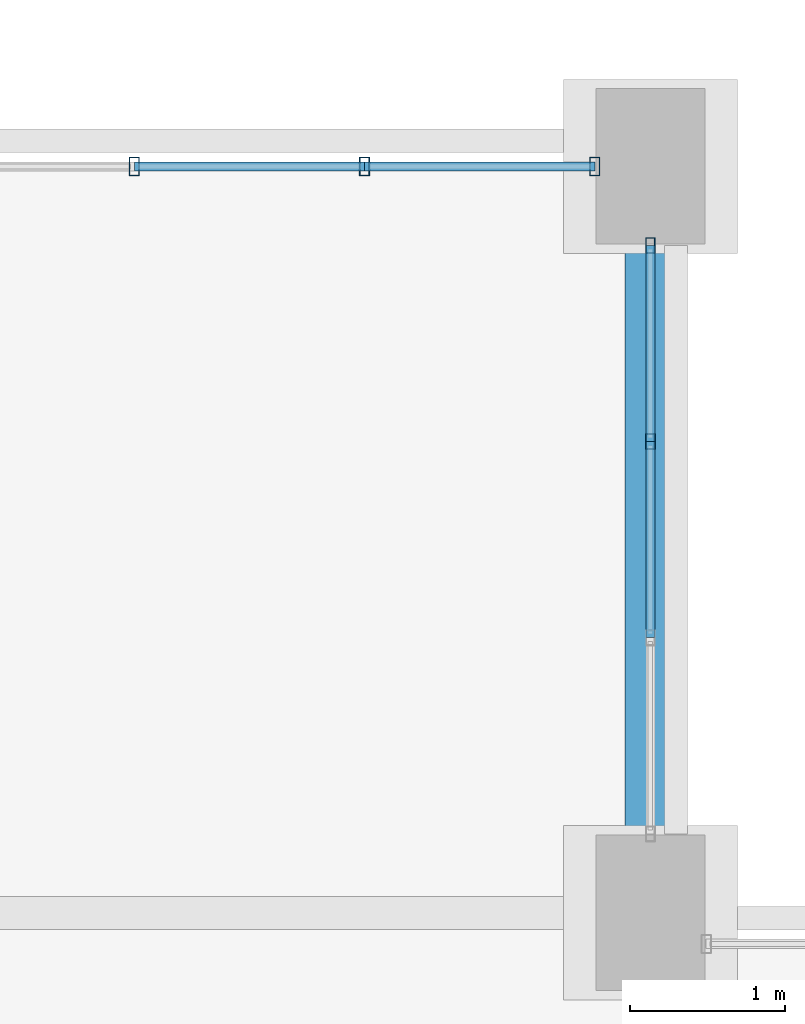
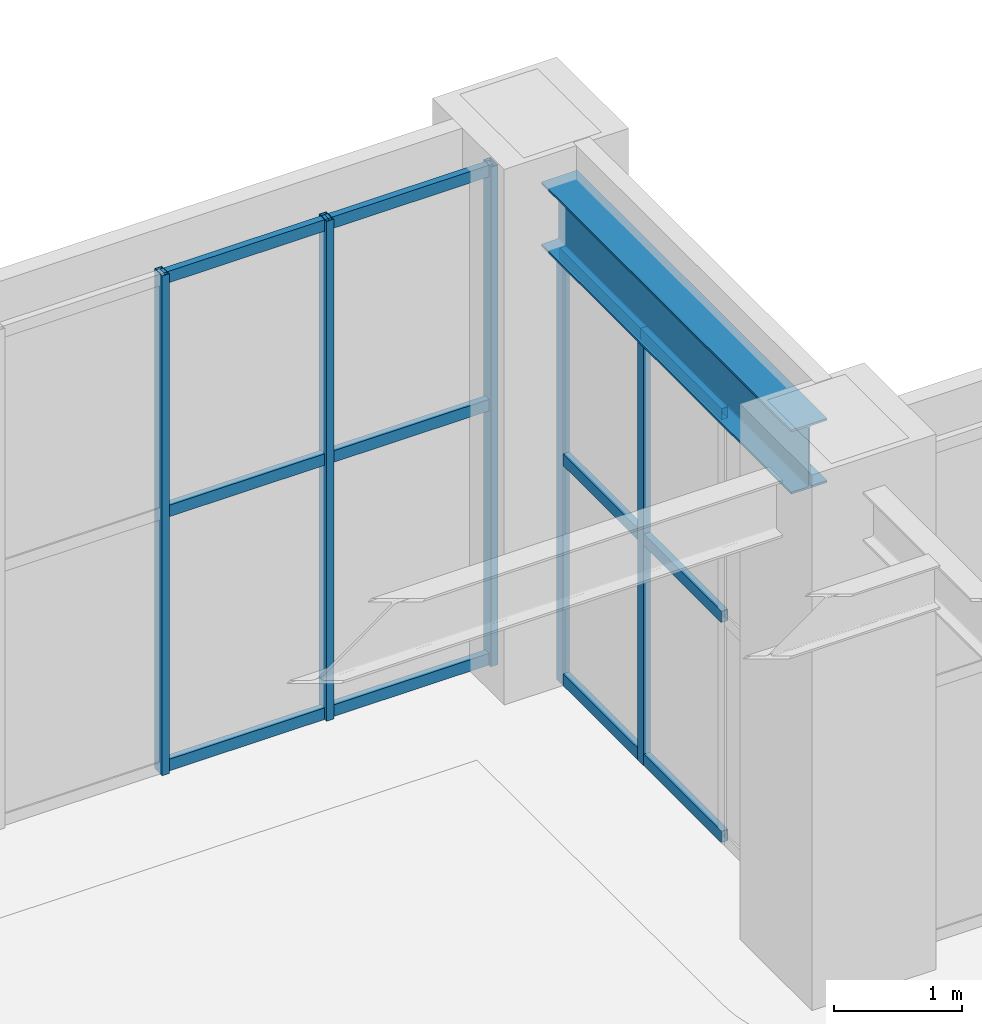
# One storey, part 94 of 174: 17 members, 1 beam, 2 elements without a shape of their own.
"""IFC4 building model written with IfcOpenShell, lengths in metres."""

from ifc_helpers import new_model, si_unit, direction, frame, origin, origin_2d, place, context, subcontext, project, spatial, hollow_rectangle, i_section, extrude, material, material_profile, profile_set, type_object, element, aggregate, save


model = new_model("IFC4")

# Units and contexts
model_context = context("Model", 3, precision=1e-05, world=origin(), true_north=direction((0.0, 1.0)))
body_context = subcontext(model_context, "Body", "Model", "MODEL_VIEW")
ifc_project = project(units=[si_unit("LENGTHUNIT", "METRE"), si_unit("AREAUNIT", "SQUARE_METRE"), si_unit("VOLUMEUNIT", "CUBIC_METRE"), si_unit("PLANEANGLEUNIT", "RADIAN"), si_unit("MASSUNIT", "GRAM", prefix="KILO")], contexts=[model_context])

# Site, building, storey
site_placement = place(None, origin())
site = spatial("IfcSite", under=ifc_project, at=site_placement, CompositionType="ELEMENT")
building_placement = place(site_placement, origin())
building = spatial("IfcBuilding", under=site, at=building_placement, Name="Mavantir Sound Aquarium", CompositionType="ELEMENT")
storey_placement = place(building_placement, frame((0.0, 0.0, 5.39990234375)))
storey = spatial("IfcBuildingStorey", under=building, at=storey_placement, Name="L01", CompositionType="ELEMENT", Elevation=5.39990234375)

# Beam
ifc_material_1 = material(Name="Structural Steel ASTM A992 Gr50", Category="steel")
ifc_material_profile_1 = material_profile(ifc_material_1, i_section(OverallWidth=0.323974609375, OverallDepth=0.611083984375, WebThickness=0.0126953125, FlangeThickness=0.01904296875, FilletRadius=0.01904296875, at=origin_2d()), Name="W610X155")
ifc_profile_set_1 = profile_set([ifc_material_profile_1], Name="Structural Steel ASTM A992 Gr50")
beam_type = type_object("IfcBeamType", Name="BM-W610X155-I", PredefinedType="BEAM", material=ifc_profile_set_1)
beam_placement = place(storey_placement, frame((127.199951171875, 86.25, 4.470703125), z_axis=(0.0, 1.0, 0.0), x_axis=(-1.0, 0.0, 0.0)))
element("IfcBeam", 1, at=beam_placement, inside=storey, type_object=beam_type, Name="L01 primary girder SB-61A 1321", PredefinedType="BEAM", context=body_context, shape_type="SweptSolid", body=[
    extrude(i_section(OverallWidth=0.323974609375, OverallDepth=0.611083984375, WebThickness=0.0126953125, FlangeThickness=0.01904296875, FilletRadius=0.01904296875, at=origin_2d()), origin(), (0.0, 0.0, 1.0), 3.89990234375),
])

# Curtain wall, members
ifc_material_2 = material(Name="Anodised Marine Aluminium and Low-E Glass", Category="aluminium")
curtain_wall_type_1 = type_object("IfcCurtainWallType", Name="CW-T13", PredefinedType="USERDEFINED", material=ifc_material_2)
curtain_wall_1_placement = place(storey_placement, origin())
curtain_wall_1 = element("IfcCurtainWall", 2, at=curtain_wall_1_placement, inside=storey, type_object=curtain_wall_type_1, Name="L01 unitised curtain wall CW-13 85", ObjectType="UNITISED GLAZING", PredefinedType="USERDEFINED")
ifc_material_3 = material(Name="Anodised Marine Aluminium 6063-T6", Category="aluminium")
ifc_material_profile_2 = material_profile(ifc_material_3, hollow_rectangle(XDim=0.06005859375, YDim=0.10009765625, WallThickness=0.00390625, at=origin_2d()), Name="ALU-MULLION-100X60")
ifc_profile_set_2 = profile_set([ifc_material_profile_2], Name="Anodised Marine Aluminium 6063-T6")
member_type_1 = type_object("IfcMemberType", Name="CW-MUL-100", PredefinedType="MULLION", material=ifc_profile_set_2)
member_1_placement = place(storey_placement, frame((127.199951171875, 88.830810546875, 0.0), z_axis=(0.0, 0.0, 1.0), x_axis=(1.0, 0.0, 0.0)))
member_1 = element("IfcMember", 3, at=member_1_placement, type_object=member_type_1, Name="CW-L01-085 vertical mullion 3", PredefinedType="MULLION", context=body_context, shape_type="SweptSolid", body=[
    extrude(hollow_rectangle(XDim=0.06005859375, YDim=0.10009765625, WallThickness=0.00390625, at=origin_2d()), origin(), (0.0, 0.0, 1.0), 4.135009765625),
])
member_2_placement = place(storey_placement, frame((127.199951171875, 90.092041015625, 0.0), z_axis=(0.0, 0.0, 1.0), x_axis=(1.0, 0.0, 0.0)))
member_2 = element("IfcMember", 4, at=member_2_placement, type_object=member_type_1, Name="CW-L01-085 vertical mullion 4", PredefinedType="MULLION", context=body_context, shape_type="SweptSolid", body=[
    extrude(hollow_rectangle(XDim=0.06005859375, YDim=0.10009765625, WallThickness=0.00390625, at=origin_2d()), origin(), (0.0, 0.0, 1.0), 4.135009765625),
])

curtain_wall_type_2 = type_object("IfcCurtainWallType", Name="CW-T14", PredefinedType="USERDEFINED", material=ifc_material_2)
curtain_wall_2_placement = place(storey_placement, origin())
curtain_wall_2 = element("IfcCurtainWall", 5, at=curtain_wall_2_placement, inside=storey, type_object=curtain_wall_type_2, Name="L01 unitised curtain wall CW-14 86", ObjectType="UNITISED GLAZING", PredefinedType="USERDEFINED")
ifc_material_profile_3 = material_profile(ifc_material_3, hollow_rectangle(XDim=0.06494140625, YDim=0.1201171875, WallThickness=0.00390625, at=origin_2d()), Name="ALU-MULLION-120X65")
ifc_profile_set_3 = profile_set([ifc_material_profile_3], Name="Anodised Marine Aluminium 6063-T6")
member_type_2 = type_object("IfcMemberType", Name="CW-MUL-120", PredefinedType="MULLION", material=ifc_profile_set_3)
member_3_placement = place(storey_placement, frame((126.842041015625, 90.60009765625, 0.0), z_axis=(0.0, 0.0, 1.0), x_axis=(1.0, 0.0, 0.0)))
member_3 = element("IfcMember", 6, at=member_3_placement, type_object=member_type_2, Name="CW-L01-086 vertical mullion 1", PredefinedType="MULLION", context=body_context, shape_type="SweptSolid", body=[
    extrude(hollow_rectangle(XDim=0.06494140625, YDim=0.1201171875, WallThickness=0.00390625, at=origin_2d()), origin(), (0.0, 0.0, 1.0), 4.760009765625),
])
member_4_placement = place(storey_placement, frame((125.361328125, 90.60009765625, 0.0), z_axis=(0.0, 0.0, 1.0), x_axis=(1.0, 0.0, 0.0)))
member_4 = element("IfcMember", 7, at=member_4_placement, type_object=member_type_2, Name="CW-L01-086 vertical mullion 2", PredefinedType="MULLION", context=body_context, shape_type="SweptSolid", body=[
    extrude(hollow_rectangle(XDim=0.06494140625, YDim=0.1201171875, WallThickness=0.00390625, at=origin_2d()), origin(), (0.0, 0.0, 1.0), 4.760009765625),
])
member_5_placement = place(storey_placement, frame((123.880615234375, 90.60009765625, 0.0), z_axis=(0.0, 0.0, 1.0), x_axis=(1.0, 0.0, 0.0)))
member_5 = element("IfcMember", 8, at=member_5_placement, type_object=member_type_2, Name="CW-L01-086 vertical mullion 3", PredefinedType="MULLION", context=body_context, shape_type="SweptSolid", body=[
    extrude(hollow_rectangle(XDim=0.06494140625, YDim=0.1201171875, WallThickness=0.00390625, at=origin_2d()), origin(), (0.0, 0.0, 1.0), 4.760009765625),
])

# Member
ifc_material_profile_4 = material_profile(ifc_material_3, hollow_rectangle(XDim=0.06005859375, YDim=0.110107421875, WallThickness=0.00390625, at=origin_2d()), Name="ALU-TRANSOM-110X60")
ifc_profile_set_4 = profile_set([ifc_material_profile_4], Name="Anodised Marine Aluminium 6063-T6")
member_type_3 = type_object("IfcMemberType", Name="CW-TRN-110", PredefinedType="USERDEFINED", material=ifc_profile_set_4)
member_6_placement = place(storey_placement, frame((127.199951171875, 87.5693359375, 0.05517578125), z_axis=(0.0, 1.0, 0.0), x_axis=(-1.0, 0.0, 0.0)))
member_6 = element("IfcMember", 9, at=member_6_placement, type_object=member_type_3, Name="CW-L01-085 transom 2.1", ObjectType="TRANSOM", PredefinedType="USERDEFINED", context=body_context, shape_type="SweptSolid", body=[
    extrude(hollow_rectangle(XDim=0.06005859375, YDim=0.110107421875, WallThickness=0.00390625, at=origin_2d()), origin(), (0.0, 0.0, 1.0), 1.261474609375),
])

member_7_placement = place(storey_placement, frame((127.199951171875, 87.5693359375, 2.150390625), z_axis=(0.0, 1.0, 0.0), x_axis=(-1.0, 0.0, 0.0)))
member_7 = element("IfcMember", 10, at=member_7_placement, type_object=member_type_3, Name="CW-L01-085 transom 2.2", ObjectType="TRANSOM", PredefinedType="USERDEFINED", context=body_context, shape_type="SweptSolid", body=[
    extrude(hollow_rectangle(XDim=0.06005859375, YDim=0.110107421875, WallThickness=0.00390625, at=origin_2d()), origin(), (0.0, 0.0, 1.0), 1.261474609375),
])

member_8_placement = place(storey_placement, frame((127.199951171875, 87.5693359375, 4.080078125), z_axis=(0.0, 1.0, 0.0), x_axis=(-1.0, 0.0, 0.0)))
member_8 = element("IfcMember", 11, at=member_8_placement, type_object=member_type_3, Name="CW-L01-085 transom 2.3", ObjectType="TRANSOM", PredefinedType="USERDEFINED", context=body_context, shape_type="SweptSolid", body=[
    extrude(hollow_rectangle(XDim=0.06005859375, YDim=0.110107421875, WallThickness=0.00390625, at=origin_2d()), origin(), (0.0, 0.0, 1.0), 1.261474609375),
])

member_9_placement = place(storey_placement, frame((127.199951171875, 88.830810546875, 0.05517578125), z_axis=(0.0, 1.0, 0.0), x_axis=(-1.0, 0.0, 0.0)))
member_9 = element("IfcMember", 12, at=member_9_placement, type_object=member_type_3, Name="CW-L01-085 transom 3.1", ObjectType="TRANSOM", PredefinedType="USERDEFINED", context=body_context, shape_type="SweptSolid", body=[
    extrude(hollow_rectangle(XDim=0.06005859375, YDim=0.110107421875, WallThickness=0.00390625, at=origin_2d()), origin(), (0.0, 0.0, 1.0), 1.26123046875),
])

member_10_placement = place(storey_placement, frame((127.199951171875, 88.830810546875, 2.150390625), z_axis=(0.0, 1.0, 0.0), x_axis=(-1.0, 0.0, 0.0)))
member_10 = element("IfcMember", 13, at=member_10_placement, type_object=member_type_3, Name="CW-L01-085 transom 3.2", ObjectType="TRANSOM", PredefinedType="USERDEFINED", context=body_context, shape_type="SweptSolid", body=[
    extrude(hollow_rectangle(XDim=0.06005859375, YDim=0.110107421875, WallThickness=0.00390625, at=origin_2d()), origin(), (0.0, 0.0, 1.0), 1.26123046875),
])

member_11_placement = place(storey_placement, frame((127.199951171875, 88.830810546875, 4.080078125), z_axis=(0.0, 1.0, 0.0), x_axis=(-1.0, 0.0, 0.0)))
member_11 = element("IfcMember", 14, at=member_11_placement, type_object=member_type_3, Name="CW-L01-085 transom 3.3", ObjectType="TRANSOM", PredefinedType="USERDEFINED", context=body_context, shape_type="SweptSolid", body=[
    extrude(hollow_rectangle(XDim=0.06005859375, YDim=0.110107421875, WallThickness=0.00390625, at=origin_2d()), origin(), (0.0, 0.0, 1.0), 1.26123046875),
])

aggregate(curtain_wall_1, [member_1, member_2, member_6, member_7, member_8, member_9, member_10, member_11])

member_12_placement = place(storey_placement, frame((126.842041015625, 90.60009765625, 0.05517578125), z_axis=(-1.0, 0.0, 0.0), x_axis=(0.0, -1.0, 0.0)))
member_12 = element("IfcMember", 15, at=member_12_placement, type_object=member_type_3, Name="CW-L01-086 transom 1.1", ObjectType="TRANSOM", PredefinedType="USERDEFINED", context=body_context, shape_type="SweptSolid", body=[
    extrude(hollow_rectangle(XDim=0.06005859375, YDim=0.110107421875, WallThickness=0.00390625, at=origin_2d()), origin(), (0.0, 0.0, 1.0), 1.480712890625),
])

member_13_placement = place(storey_placement, frame((126.842041015625, 90.60009765625, 2.475341796875), z_axis=(-1.0, 0.0, 0.0), x_axis=(0.0, -1.0, 0.0)))
member_13 = element("IfcMember", 16, at=member_13_placement, type_object=member_type_3, Name="CW-L01-086 transom 1.2", ObjectType="TRANSOM", PredefinedType="USERDEFINED", context=body_context, shape_type="SweptSolid", body=[
    extrude(hollow_rectangle(XDim=0.06005859375, YDim=0.110107421875, WallThickness=0.00390625, at=origin_2d()), origin(), (0.0, 0.0, 1.0), 1.480712890625),
])

member_14_placement = place(storey_placement, frame((126.842041015625, 90.60009765625, 4.705078125), z_axis=(-1.0, 0.0, 0.0), x_axis=(0.0, -1.0, 0.0)))
member_14 = element("IfcMember", 17, at=member_14_placement, type_object=member_type_3, Name="CW-L01-086 transom 1.3", ObjectType="TRANSOM", PredefinedType="USERDEFINED", context=body_context, shape_type="SweptSolid", body=[
    extrude(hollow_rectangle(XDim=0.06005859375, YDim=0.110107421875, WallThickness=0.00390625, at=origin_2d()), origin(), (0.0, 0.0, 1.0), 1.480712890625),
])

member_15_placement = place(storey_placement, frame((125.361328125, 90.60009765625, 0.05517578125), z_axis=(-1.0, 0.0, 0.0), x_axis=(0.0, -1.0, 0.0)))
member_15 = element("IfcMember", 18, at=member_15_placement, type_object=member_type_3, Name="CW-L01-086 transom 2.1", ObjectType="TRANSOM", PredefinedType="USERDEFINED", context=body_context, shape_type="SweptSolid", body=[
    extrude(hollow_rectangle(XDim=0.06005859375, YDim=0.110107421875, WallThickness=0.00390625, at=origin_2d()), origin(), (0.0, 0.0, 1.0), 1.480712890625),
])

member_16_placement = place(storey_placement, frame((125.361328125, 90.60009765625, 2.475341796875), z_axis=(-1.0, 0.0, 0.0), x_axis=(0.0, -1.0, 0.0)))
member_16 = element("IfcMember", 19, at=member_16_placement, type_object=member_type_3, Name="CW-L01-086 transom 2.2", ObjectType="TRANSOM", PredefinedType="USERDEFINED", context=body_context, shape_type="SweptSolid", body=[
    extrude(hollow_rectangle(XDim=0.06005859375, YDim=0.110107421875, WallThickness=0.00390625, at=origin_2d()), origin(), (0.0, 0.0, 1.0), 1.480712890625),
])

member_17_placement = place(storey_placement, frame((125.361328125, 90.60009765625, 4.705078125), z_axis=(-1.0, 0.0, 0.0), x_axis=(0.0, -1.0, 0.0)))
member_17 = element("IfcMember", 20, at=member_17_placement, type_object=member_type_3, Name="CW-L01-086 transom 2.3", ObjectType="TRANSOM", PredefinedType="USERDEFINED", context=body_context, shape_type="SweptSolid", body=[
    extrude(hollow_rectangle(XDim=0.06005859375, YDim=0.110107421875, WallThickness=0.00390625, at=origin_2d()), origin(), (0.0, 0.0, 1.0), 1.480712890625),
])

aggregate(curtain_wall_2, [member_3, member_4, member_5, member_12, member_13, member_14, member_15, member_16, member_17])

save(model, "model.ifc")
